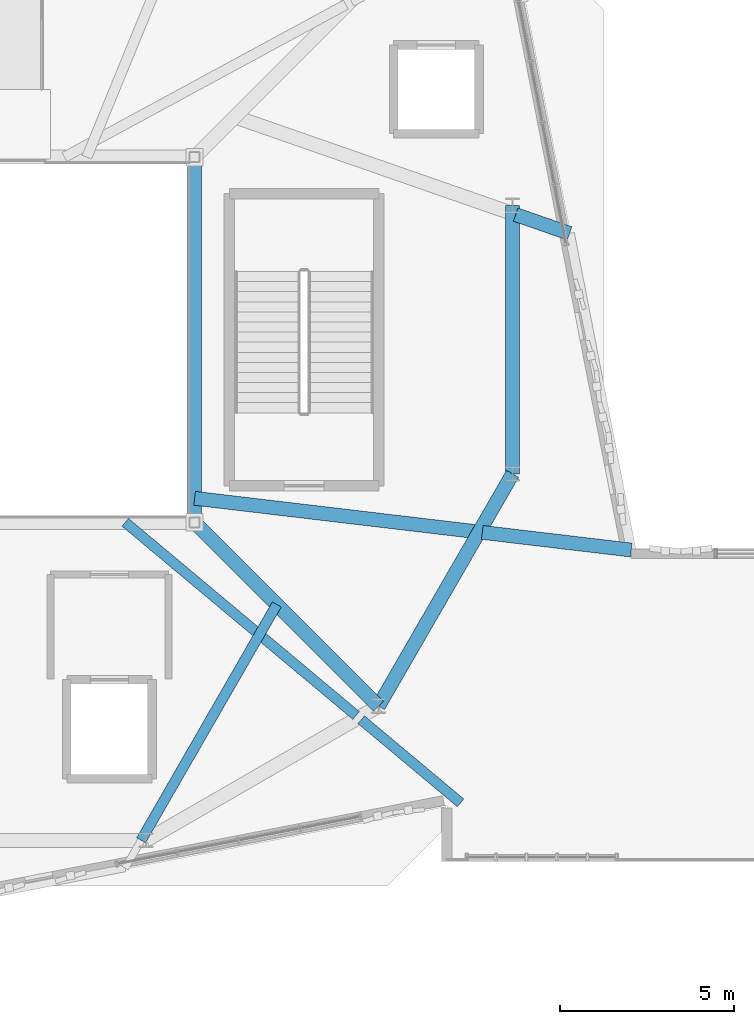
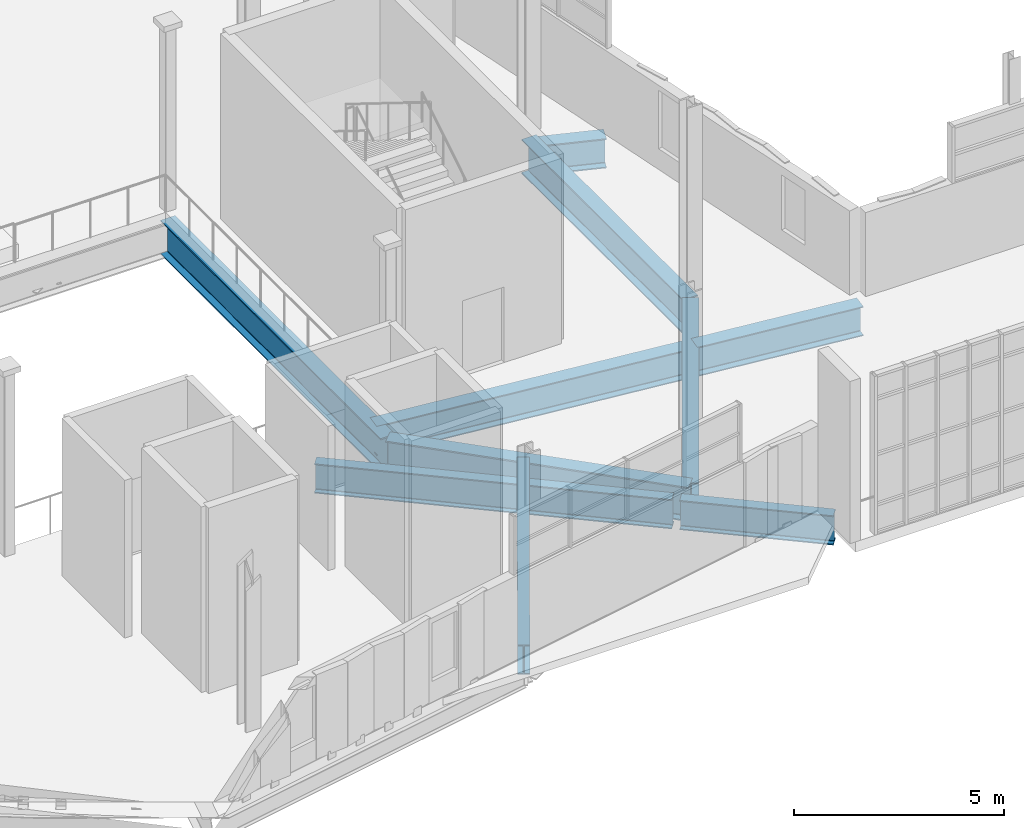
# One storey, part 28 of 142: 10 beams.
"""IFC4 building model written with IfcOpenShell, lengths in metres."""

from ifc_helpers import new_model, si_unit, direction, frame, origin, origin_2d, place, context, subcontext, project, spatial, i_section, extrude, material, material_profile, profile_set, type_object, element, save


model = new_model("IFC4")

# Units and contexts
model_context = context("Model", 3, precision=1e-05, world=origin(), true_north=direction((0.0, 1.0)))
body_context = subcontext(model_context, "Body", "Model", "MODEL_VIEW")
ifc_project = project(units=[si_unit("LENGTHUNIT", "METRE"), si_unit("AREAUNIT", "SQUARE_METRE"), si_unit("VOLUMEUNIT", "CUBIC_METRE"), si_unit("PLANEANGLEUNIT", "RADIAN"), si_unit("MASSUNIT", "GRAM", prefix="KILO"), si_unit("THERMODYNAMICTEMPERATUREUNIT", "KELVIN"), si_unit("POWERUNIT", "WATT")], contexts=[model_context])

# Site, building, storey
site_placement = place(None, origin())
site = spatial("IfcSite", under=ifc_project, at=site_placement, CompositionType="ELEMENT")
building_placement = place(site_placement, origin())
building = spatial("IfcBuilding", under=site, at=building_placement, Name="Zelmaris Science Centre", CompositionType="ELEMENT")
storey_placement = place(building_placement, frame((0.0, 0.0, 5.39990234375)))
storey = spatial("IfcBuildingStorey", under=building, at=storey_placement, Name="L01", CompositionType="ELEMENT", Elevation=5.39990234375)

# Beams
ifc_material = material(Name="Steel ASTM A992 Grade 50", Category="steel")
ifc_material_profile_1 = material_profile(ifc_material, i_section(OverallWidth=0.40087890625, OverallDepth=0.85595703125, WebThickness=0.018310546875, FlangeThickness=0.029296875, FilletRadius=0.02001953125, at=origin_2d()), Name="W33X201")
ifc_profile_set_1 = profile_set([ifc_material_profile_1], Name="Steel ASTM A992 Grade 50")
beam_type_1 = type_object("IfcBeamType", Name="Beam G-05 W33X201", PredefinedType="BEAM", material=ifc_profile_set_1)
beam_1_placement = place(storey_placement, frame((86.25, 31.44140625, -0.727783203125), z_axis=(0.993042074646, -0.117760086539, 0.0), x_axis=(0.117760086539, 0.993042074646, 0.0)))
element("IfcBeam", 1, at=beam_1_placement, inside=storey, type_object=beam_type_1, Name="L01 Overhang back-span girder 4", PredefinedType="BEAM", context=body_context, shape_type="SweptSolid", body=[
    extrude(i_section(OverallWidth=0.40087890625, OverallDepth=0.85595703125, WebThickness=0.018310546875, FlangeThickness=0.029296875, FilletRadius=0.02001953125, at=origin_2d()), origin(), (0.0, 0.0, 1.0), 8.139404296875),
])
beam_2_placement = place(storey_placement, frame((94.521484375, 30.460693359375, -0.727783203125), z_axis=(0.993037595448, -0.117797852387, 0.0), x_axis=(0.117797852387, 0.993037595448, 0.0)))
element("IfcBeam", 2, at=beam_2_placement, inside=storey, type_object=beam_type_1, Name="L01 Radial overhang girder 4", PredefinedType="BEAM", context=body_context, shape_type="SweptSolid", body=[
    extrude(i_section(OverallWidth=0.40087890625, OverallDepth=0.85595703125, WebThickness=0.018310546875, FlangeThickness=0.029296875, FilletRadius=0.02001953125, at=origin_2d()), origin(), (0.0, 0.0, 1.0), 4.308837890625),
])
ifc_material_profile_2 = material_profile(ifc_material, i_section(OverallWidth=0.294921875, OverallDepth=0.85107421875, WebThickness=0.01611328125, FlangeThickness=0.02685546875, FilletRadius=0.02001953125, at=origin_2d()), Name="W33X152")
ifc_profile_set_2 = profile_set([ifc_material_profile_2], Name="Steel ASTM A992 Grade 50")
beam_type_2 = type_object("IfcBeamType", Name="Beam G-06 W33X152", PredefinedType="BEAM", material=ifc_profile_set_2)
beam_3_placement = place(storey_placement, frame((88.61279296875, 28.38720703125, -0.725341796875), z_axis=(-0.498701580881, -0.866773749733, 0.0), x_axis=(0.866773749733, -0.498701580881, 0.0)))
element("IfcBeam", 3, at=beam_3_placement, inside=storey, type_object=beam_type_2, Name="L01 Overhang back-span girder 2", PredefinedType="BEAM", context=body_context, shape_type="SweptSolid", body=[
    extrude(i_section(OverallWidth=0.294921875, OverallDepth=0.85107421875, WebThickness=0.01611328125, FlangeThickness=0.02685546875, FilletRadius=0.02001953125, at=origin_2d()), origin(), (0.0, 0.0, 1.0), 7.821533203125),
])
ifc_material_profile_3 = material_profile(ifc_material, i_section(OverallWidth=0.40087890625, OverallDepth=1.0009765625, WebThickness=0.01904296875, FlangeThickness=0.0361328125, FilletRadius=0.02490234375, at=origin_2d()), Name="W40X249")
ifc_profile_set_3 = profile_set([ifc_material_profile_3], Name="Steel ASTM A992 Grade 50")
beam_type_3 = type_object("IfcBeamType", Name="Beam G-22 W40X249", PredefinedType="BEAM", material=ifc_profile_set_3)
for number, where, z_axis, x_axis, name in (
    (4, (91.535888671875, 25.464111328125, -0.80029296875), (0.500006504531, 0.866021648359, 0.0), (-0.866021648359, 0.500006504531, 0.0), "L01 Exhibition inner ring girder 11"),
    (5, (95.392333984375, 32.1435546875, -0.80029296875), (0.0, 1.0, 0.0), (-1.0, 0.0, 0.0), "L01 Exhibition inner ring girder 12"),
):
    element("IfcBeam", number, at=place(storey_placement, frame(where, z_axis=z_axis, x_axis=x_axis)), inside=storey, type_object=beam_type_3, Name=name, PredefinedType="BEAM", context=body_context, shape_type="SweptSolid", body=[
        extrude(i_section(OverallWidth=0.40087890625, OverallDepth=1.0009765625, WebThickness=0.01904296875, FlangeThickness=0.0361328125, FilletRadius=0.02490234375, at=origin_2d()), origin(), (0.0, 0.0, 1.0), 7.712890625),
    ])
beam_4_placement = place(storey_placement, frame((86.25, 30.75, -0.80029296875), z_axis=(0.0, 1.0, 0.0), x_axis=(-1.0, 0.0, 0.0)))
element("IfcBeam", 6, at=beam_4_placement, inside=storey, type_object=beam_type_3, Name="L01 Atrium framing girder 2", PredefinedType="BEAM", context=body_context, shape_type="SweptSolid", body=[
    extrude(i_section(OverallWidth=0.40087890625, OverallDepth=1.0009765625, WebThickness=0.01904296875, FlangeThickness=0.0361328125, FilletRadius=0.02490234375, at=origin_2d()), origin(), (0.0, 0.0, 1.0), 10.5),
])
beam_5_placement = place(storey_placement, frame((86.25, 30.75, -0.80029296875), z_axis=(0.707106781187, -0.707106781187, 0.0), x_axis=(0.707106781187, 0.707106781187, 0.0)))
element("IfcBeam", 7, at=beam_5_placement, inside=storey, type_object=beam_type_3, Name="L01 Atrium diagonal header girder 2", PredefinedType="BEAM", context=body_context, shape_type="SweptSolid", body=[
    extrude(i_section(OverallWidth=0.40087890625, OverallDepth=1.0009765625, WebThickness=0.01904296875, FlangeThickness=0.0361328125, FilletRadius=0.02490234375, at=origin_2d()), origin(), (0.0, 0.0, 1.0), 7.475341796875),
])
ifc_material_profile_4 = material_profile(ifc_material, i_section(OverallWidth=0.404052734375, OverallDepth=0.861083984375, WebThickness=0.019775390625, FlangeThickness=0.032470703125, FilletRadius=0.02001953125, at=origin_2d()), Name="W33X221")
ifc_profile_set_4 = profile_set([ifc_material_profile_4], Name="Steel ASTM A992 Grade 50")
beam_type_4 = type_object("IfcBeamType", Name="Beam G-28 W33X221", PredefinedType="BEAM", material=ifc_profile_set_4)
beam_6_placement = place(storey_placement, frame((95.48193359375, 39.59716796875, -0.73046875), z_axis=(0.944370187933, -0.328884399361, 0.0), x_axis=(0.328884399361, 0.944370187933, 0.0)))
element("IfcBeam", 8, at=beam_6_placement, inside=storey, type_object=beam_type_4, Name="L01 Radial overhang girder 5", PredefinedType="BEAM", context=body_context, shape_type="SweptSolid", body=[
    extrude(i_section(OverallWidth=0.404052734375, OverallDepth=0.861083984375, WebThickness=0.019775390625, FlangeThickness=0.032470703125, FilletRadius=0.02001953125, at=origin_2d()), origin(), (0.0, 0.0, 1.0), 1.639892578125),
])
ifc_material_profile_5 = material_profile(ifc_material, i_section(OverallWidth=0.2919921875, OverallDepth=0.85888671875, WebThickness=0.01708984375, FlangeThickness=0.031005859375, FilletRadius=0.02001953125, at=origin_2d()), Name="W33X169")
ifc_profile_set_5 = profile_set([ifc_material_profile_5], Name="Steel ASTM A992 Grade 50")
beam_type_5 = type_object("IfcBeamType", Name="Beam G-29 W33X169", PredefinedType="BEAM", material=ifc_profile_set_5)
beam_7_placement = place(storey_placement, frame((84.255615234375, 30.75, -0.7294921875), z_axis=(0.767001398661, -0.64164542736, 0.0), x_axis=(0.64164542736, 0.767001398661, 0.0)))
element("IfcBeam", 9, at=beam_7_placement, inside=storey, type_object=beam_type_5, Name="L01 Overhang back-span girder 3", PredefinedType="BEAM", context=body_context, shape_type="SweptSolid", body=[
    extrude(i_section(OverallWidth=0.2919921875, OverallDepth=0.85888671875, WebThickness=0.01708984375, FlangeThickness=0.031005859375, FilletRadius=0.02001953125, at=origin_2d()), origin(), (0.0, 0.0, 1.0), 8.655029296875),
])
beam_8_placement = place(storey_placement, frame((91.039794921875, 25.07470703125, -0.7294921875), z_axis=(0.766973662763, -0.641678580466, 0.0), x_axis=(0.641678580466, 0.766973662763, 0.0)))
element("IfcBeam", 10, at=beam_8_placement, inside=storey, type_object=beam_type_5, Name="L01 Radial overhang girder 3", PredefinedType="BEAM", context=body_context, shape_type="SweptSolid", body=[
    extrude(i_section(OverallWidth=0.2919921875, OverallDepth=0.85888671875, WebThickness=0.01708984375, FlangeThickness=0.031005859375, FilletRadius=0.02001953125, at=origin_2d()), origin(), (0.0, 0.0, 1.0), 3.7255859375),
])

save(model, "model.ifc")
